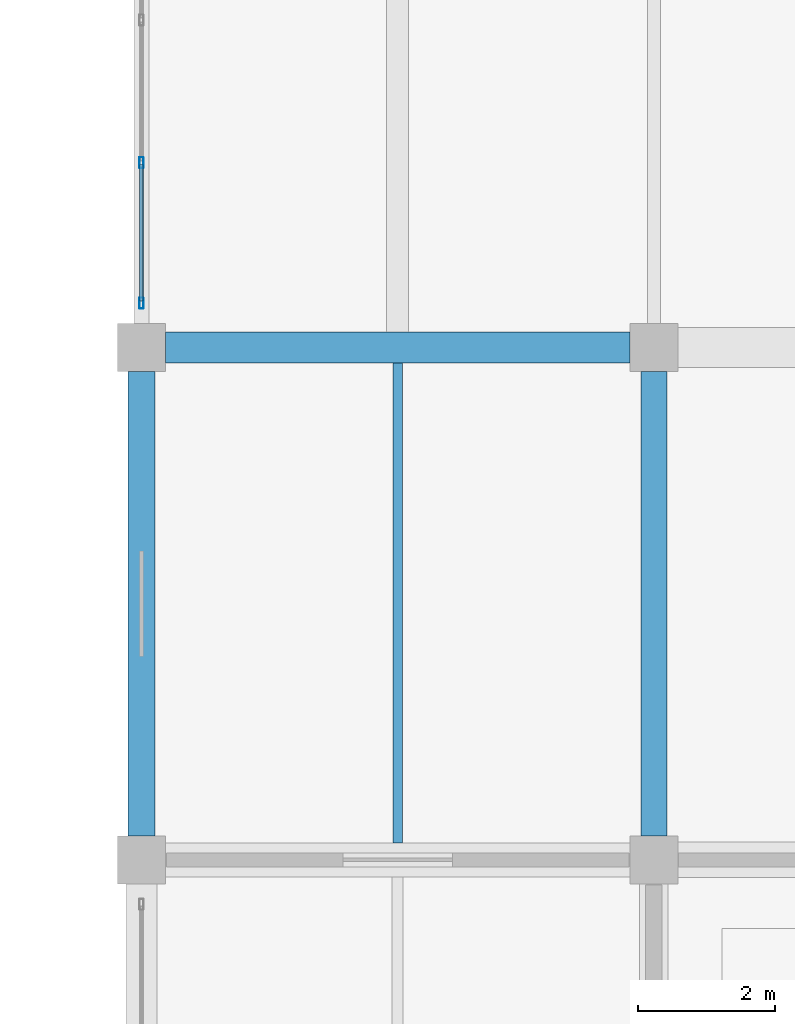
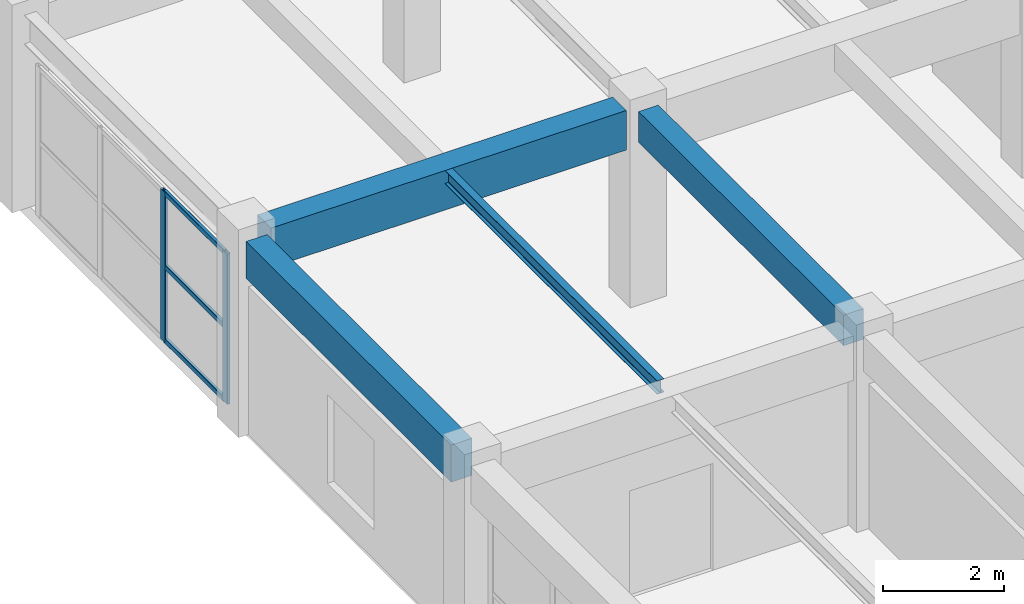
# One storey, part 61 of 132: 5 members, 4 beams, 1 element without a shape of its own.
"""IFC4 building model written with IfcOpenShell, lengths in metres."""

from ifc_helpers import new_model, si_unit, direction, frame, origin, origin_2d, place, context, subcontext, project, spatial, rectangle, hollow_rectangle, i_section, extrude, material, material_profile, profile_set, type_object, element, aggregate, save


model = new_model("IFC4")

# Units and contexts
model_context = context("Model", 3, precision=1e-05, world=origin(), true_north=direction((0.0, 1.0)))
body_context = subcontext(model_context, "Body", "Model", "MODEL_VIEW")
ifc_project = project(units=[si_unit("LENGTHUNIT", "METRE"), si_unit("AREAUNIT", "SQUARE_METRE"), si_unit("VOLUMEUNIT", "CUBIC_METRE"), si_unit("PLANEANGLEUNIT", "RADIAN"), si_unit("MASSUNIT", "GRAM", prefix="KILO")], contexts=[model_context])

# Site, building, storey
site_placement = place(None, origin())
site = spatial("IfcSite", under=ifc_project, at=site_placement, CompositionType="ELEMENT")
building_placement = place(site_placement, origin())
building = spatial("IfcBuilding", under=site, at=building_placement, Name="Qasida Concert Hall", CompositionType="ELEMENT")
storey_placement = place(building_placement, frame((0.0, 0.0, 4.800048828125)))
storey = spatial("IfcBuildingStorey", under=building, at=storey_placement, Name="L01", CompositionType="ELEMENT", Elevation=4.800048828125)

# Beams
ifc_material_1 = material(Name="Concrete C40/50", Category="concrete")
ifc_material_profile_1 = material_profile(ifc_material_1, rectangle(XDim=0.3798828125, YDim=0.6201171875, at=origin_2d()), Name="RC 380x620")
ifc_profile_set_1 = profile_set([ifc_material_profile_1], Name="Concrete C40/50")
beam_type_1 = type_object("IfcBeamType", Name="BM-B10", PredefinedType="BEAM", material=ifc_profile_set_1)
beam_1_placement = place(storey_placement, frame((127.5, 90.35009765625, 3.60986328125), z_axis=(0.0, 1.0, 0.0), x_axis=(-1.0, 0.0, 0.0)))
element("IfcBeam", 1, at=beam_1_placement, inside=storey, type_object=beam_type_1, Name="L01 girder 1017", PredefinedType="BEAM", context=body_context, shape_type="SweptSolid", body=[
    extrude(rectangle(XDim=0.3798828125, YDim=0.6201171875, at=origin_2d()), origin(), (0.0, 0.0, 1.0), 6.7998046875),
])
ifc_material_profile_2 = material_profile(ifc_material_1, rectangle(XDim=0.449951171875, YDim=0.800048828125, at=origin_2d()), Name="RC 450x800")
ifc_profile_set_2 = profile_set([ifc_material_profile_2], Name="Concrete C40/50")
beam_type_2 = type_object("IfcBeamType", Name="BM-G2", PredefinedType="USERDEFINED", material=ifc_profile_set_2)
beam_2_placement = place(storey_placement, frame((120.35009765625, 97.5, 3.52001953125), z_axis=(1.0, 0.0, 0.0), x_axis=(0.0, 1.0, 0.0)))
element("IfcBeam", 2, at=beam_2_placement, inside=storey, type_object=beam_type_2, Name="Primary girder 0992", ObjectType="GIRDER", PredefinedType="USERDEFINED", context=body_context, shape_type="SweptSolid", body=[
    extrude(rectangle(XDim=0.449951171875, YDim=0.800048828125, at=origin_2d()), origin(), (0.0, 0.0, 1.0), 6.7998046875),
])
ifc_material_2 = material(Name="Steel S355J2", Category="steel")
ifc_material_profile_3 = material_profile(ifc_material_2, i_section(OverallWidth=0.135009765625, OverallDepth=0.27001953125, WebThickness=0.006591796875, FlangeThickness=0.01025390625, FilletRadius=0.014892578125, at=origin_2d()), Name="IPE 270")
ifc_profile_set_3 = profile_set([ifc_material_profile_3], Name="Steel S355J2")
beam_type_3 = type_object("IfcBeamType", Name="BM-J6", PredefinedType="JOIST", material=ifc_profile_set_3)
beam_3_placement = place(storey_placement, frame((123.75, 90.25, 3.784912109375), z_axis=(0.0, 1.0, 0.0), x_axis=(-1.0, 0.0, 0.0)))
element("IfcBeam", 3, at=beam_3_placement, inside=storey, type_object=beam_type_3, Name="L01 secondary joist 1045", PredefinedType="JOIST", context=body_context, shape_type="SweptSolid", body=[
    extrude(i_section(OverallWidth=0.135009765625, OverallDepth=0.27001953125, WebThickness=0.006591796875, FlangeThickness=0.01025390625, FilletRadius=0.014892578125, at=origin_2d()), origin(), (0.0, 0.0, 1.0), 7.02490234375),
])
ifc_material_profile_4 = material_profile(ifc_material_1, rectangle(XDim=0.39990234375, YDim=0.75, at=origin_2d()), Name="RC 400x750")
ifc_profile_set_4 = profile_set([ifc_material_profile_4], Name="Concrete C40/50")
beam_type_4 = type_object("IfcBeamType", Name="BM-SP1", PredefinedType="SPANDREL", material=ifc_profile_set_4)
beam_4_placement = place(storey_placement, frame((120.0, 90.35009765625, 3.544921875), z_axis=(0.0, 1.0, 0.0), x_axis=(-1.0, 0.0, 0.0)))
element("IfcBeam", 4, at=beam_4_placement, inside=storey, type_object=beam_type_4, Name="L01 girder 1012", PredefinedType="SPANDREL", context=body_context, shape_type="SweptSolid", body=[
    extrude(rectangle(XDim=0.39990234375, YDim=0.75, at=origin_2d()), origin(), (0.0, 0.0, 1.0), 6.7998046875),
])

# Curtain wall, members
ifc_material_3 = material(Name="Architectural bronze-anodized aluminium and low-E glass", Category="aluminium")
curtain_wall_type = type_object("IfcCurtainWallType", Name="CW-09", PredefinedType="NOTDEFINED", material=ifc_material_3)
curtain_wall_placement = place(storey_placement, origin())
curtain_wall = element("IfcCurtainWall", 5, at=curtain_wall_placement, inside=storey, type_object=curtain_wall_type, Name="L01 curtain wall CW-09 0167", PredefinedType="NOTDEFINED")
ifc_material_4 = material(Name="Architectural bronze-anodized aluminium EN AW-6063", Category="aluminium")
ifc_material_profile_5 = material_profile(ifc_material_4, hollow_rectangle(XDim=0.06005859375, YDim=0.159912109375, WallThickness=0.00390625, InnerFilletRadius=0.00390625, OuterFilletRadius=0.008056640625, at=origin_2d()), Name="CWM 160x60x4")
ifc_profile_set_5 = profile_set([ifc_material_profile_5], Name="Architectural bronze-anodized aluminium EN AW-6063")
member_type_1 = type_object("IfcMemberType", Name="MB-CWM-3", PredefinedType="MULLION", material=ifc_profile_set_5)
member_1_placement = place(storey_placement, frame((120.0, 98.14990234375, 0.0), z_axis=(0.0, 0.0, 1.0), x_axis=(-1.0, 0.0, 0.0)))
member_1 = element("IfcMember", 6, at=member_1_placement, type_object=member_type_1, Name="CW-09 mullion 1", PredefinedType="MULLION", context=body_context, shape_type="SweptSolid", body=[
    extrude(hollow_rectangle(XDim=0.06005859375, YDim=0.159912109375, WallThickness=0.00390625, InnerFilletRadius=0.00390625, OuterFilletRadius=0.008056640625, at=origin_2d()), origin(), (0.0, 0.0, 1.0), 3.0400390625),
])
member_2_placement = place(storey_placement, frame((120.0, 100.206787109375, 0.0), z_axis=(0.0, 0.0, 1.0), x_axis=(-1.0, 0.0, 0.0)))
member_2 = element("IfcMember", 7, at=member_2_placement, type_object=member_type_1, Name="CW-09 mullion 2", PredefinedType="MULLION", context=body_context, shape_type="SweptSolid", body=[
    extrude(hollow_rectangle(XDim=0.06005859375, YDim=0.159912109375, WallThickness=0.00390625, InnerFilletRadius=0.00390625, OuterFilletRadius=0.008056640625, at=origin_2d()), origin(), (0.0, 0.0, 1.0), 3.0400390625),
])
ifc_material_profile_6 = material_profile(ifc_material_4, hollow_rectangle(XDim=0.06005859375, YDim=0.10009765625, WallThickness=0.00341796875, InnerFilletRadius=0.00341796875, OuterFilletRadius=0.007080078125, at=origin_2d()), Name="CWT 100x60x3.5")
ifc_profile_set_6 = profile_set([ifc_material_profile_6], Name="Architectural bronze-anodized aluminium EN AW-6063")
member_type_2 = type_object("IfcMemberType", Name="MB-CWT-3", PredefinedType="USERDEFINED", material=ifc_profile_set_6)
member_3_placement = place(storey_placement, frame((120.0, 98.179931640625, 0.030029296875), z_axis=(0.0, 1.0, 0.0), x_axis=(-1.0, 0.0, 0.0)))
member_3 = element("IfcMember", 8, at=member_3_placement, type_object=member_type_2, Name="CW-09 transom 1.1", ObjectType="TRANSOM", PredefinedType="USERDEFINED", context=body_context, shape_type="SweptSolid", body=[
    extrude(hollow_rectangle(XDim=0.06005859375, YDim=0.10009765625, WallThickness=0.00341796875, InnerFilletRadius=0.00341796875, OuterFilletRadius=0.007080078125, at=origin_2d()), origin(), (0.0, 0.0, 1.0), 1.996826171875),
])
member_4_placement = place(storey_placement, frame((120.0, 98.179931640625, 1.52001953125), z_axis=(0.0, 1.0, 0.0), x_axis=(-1.0, 0.0, 0.0)))
member_4 = element("IfcMember", 9, at=member_4_placement, type_object=member_type_2, Name="CW-09 transom 1.2", ObjectType="TRANSOM", PredefinedType="USERDEFINED", context=body_context, shape_type="SweptSolid", body=[
    extrude(hollow_rectangle(XDim=0.06005859375, YDim=0.10009765625, WallThickness=0.00341796875, InnerFilletRadius=0.00341796875, OuterFilletRadius=0.007080078125, at=origin_2d()), origin(), (0.0, 0.0, 1.0), 1.996826171875),
])
member_5_placement = place(storey_placement, frame((120.0, 98.179931640625, 3.010009765625), z_axis=(0.0, 1.0, 0.0), x_axis=(-1.0, 0.0, 0.0)))
member_5 = element("IfcMember", 10, at=member_5_placement, type_object=member_type_2, Name="CW-09 transom 1.3", ObjectType="TRANSOM", PredefinedType="USERDEFINED", context=body_context, shape_type="SweptSolid", body=[
    extrude(hollow_rectangle(XDim=0.06005859375, YDim=0.10009765625, WallThickness=0.00341796875, InnerFilletRadius=0.00341796875, OuterFilletRadius=0.007080078125, at=origin_2d()), origin(), (0.0, 0.0, 1.0), 1.996826171875),
])
aggregate(curtain_wall, [member_1, member_2, member_3, member_4, member_5])

save(model, "model.ifc")
